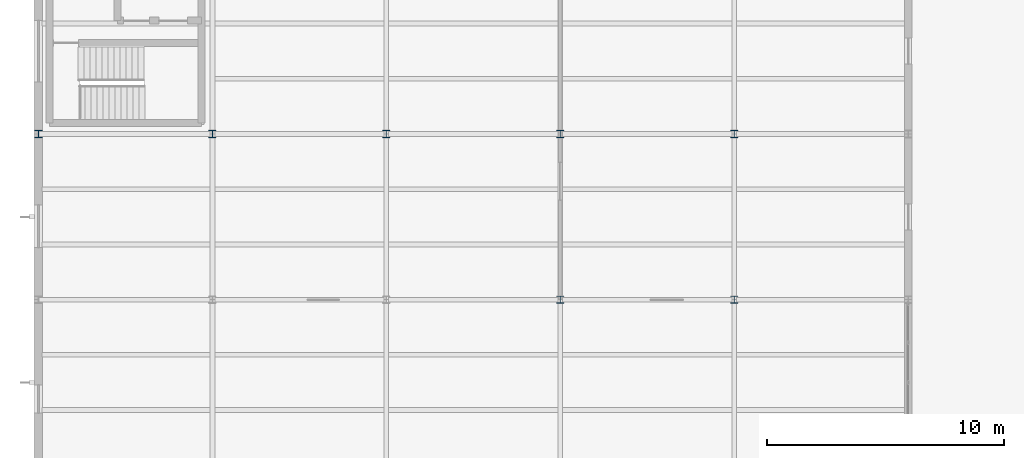
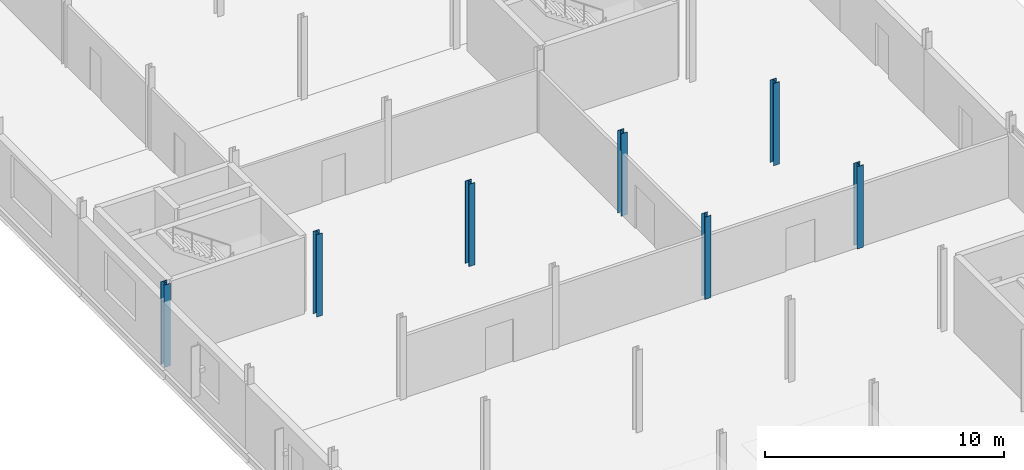
# One storey, part 2 of 39: 7 columns.
"""IFC4 building model written with IfcOpenShell, lengths in metres."""

from ifc_helpers import new_model, si_unit, direction, frame, origin, origin_2d, place, context, subcontext, project, spatial, i_section, extrude, material, material_profile, profile_set, type_object, element, save


model = new_model("IFC4")

# Units and contexts
model_context = context("Model", 3, precision=1e-05, world=origin(), true_north=direction((0.0, 1.0)))
body_context = subcontext(model_context, "Body", "Model", "MODEL_VIEW")
ifc_project = project(units=[si_unit("LENGTHUNIT", "METRE"), si_unit("AREAUNIT", "SQUARE_METRE"), si_unit("VOLUMEUNIT", "CUBIC_METRE"), si_unit("PLANEANGLEUNIT", "RADIAN"), si_unit("MASSUNIT", "GRAM", prefix="KILO")], contexts=[model_context])

# Site, building, storey
site_placement = place(None, origin())
site = spatial("IfcSite", under=ifc_project, at=site_placement, CompositionType="ELEMENT")
building_placement = place(site_placement, origin())
building = spatial("IfcBuilding", under=site, at=building_placement, Name="Kazenagashi Tramway Depot", CompositionType="ELEMENT")
storey_placement = place(building_placement, frame((0.0, 0.0, 11.1)))
storey = spatial("IfcBuildingStorey", under=building, at=storey_placement, Name="L03", CompositionType="ELEMENT", Elevation=11.1)

# Columns
ifc_material = material(Name="Steel SN490B", Category="steel")
ifc_material_profile = material_profile(ifc_material, i_section(OverallWidth=0.3, OverallDepth=0.3, WebThickness=0.01, FlangeThickness=0.015, at=origin_2d()), Name="H-300x300x10x15")
ifc_profile_set = profile_set([ifc_material_profile], Name="Steel SN490B")
column_type = type_object("IfcColumnType", Name="C-05", PredefinedType="COLUMN", material=ifc_profile_set)
for number, where, z_axis, x_axis, name in (
    (1, (0.0, 28.0, 0.0), (0.0, 0.0, 1.0), (1.0, 0.0, 0.0), "Column C-05 COL-0551"),
    (2, (7.35, 28.0, 0.0), (0.0, 0.0, 1.0), (1.0, 0.0, 0.0), "Column C-05 COL-0593"),
    (3, (14.7, 28.0, 0.0), (0.0, 0.0, 1.0), (1.0, 0.0, 0.0), "Column C-05 COL-0638"),
    (4, (22.05, 21.0, 0.0), (0.0, 0.0, 1.0), (1.0, 0.0, 0.0), "Column C-05 COL-0675"),
    (5, (22.05, 28.0, 0.0), (0.0, 0.0, 1.0), (1.0, 0.0, 0.0), "Column C-05 COL-0680"),
    (6, (29.4, 21.0, 0.0), (0.0, 0.0, 1.0), (1.0, 0.0, 0.0), "Column C-05 COL-0720"),
    (7, (29.4, 28.0, 0.0), (0.0, 0.0, 1.0), (1.0, 0.0, 0.0), "Column C-05 COL-0725"),
):
    element("IfcColumn", number, at=place(storey_placement, frame(where, z_axis=z_axis, x_axis=x_axis)), inside=storey, type_object=column_type, Name=name, PredefinedType="COLUMN", context=body_context, shape_type="SweptSolid", body=[
        extrude(i_section(OverallWidth=0.3, OverallDepth=0.3, WebThickness=0.01, FlangeThickness=0.015, at=origin_2d()), origin(), (0.0, 0.0, 1.0), 4.2),
    ])

save(model, "model.ifc")
